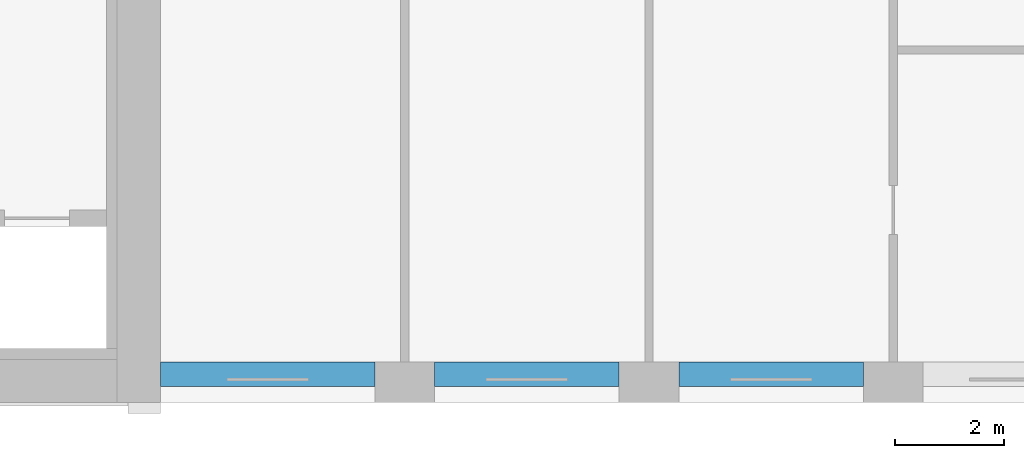
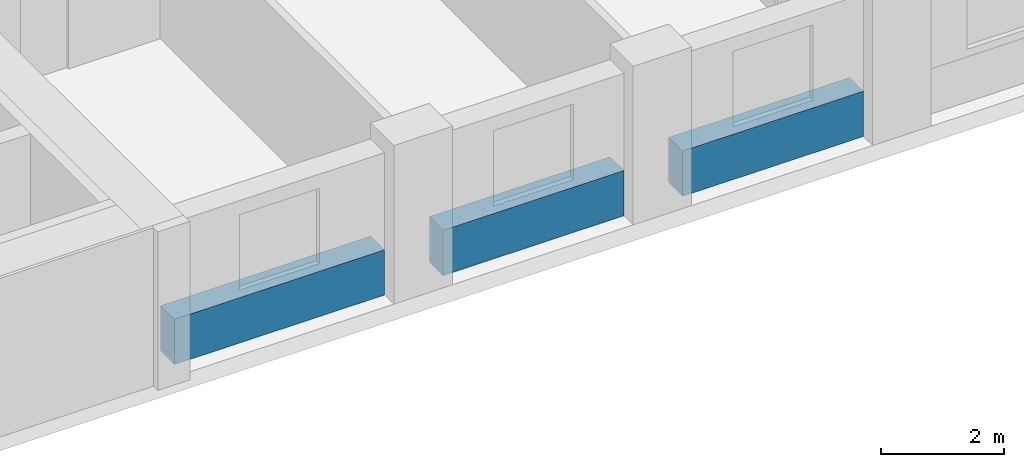
# One storey, part 3 of 16: 3 beams.
"""IFC4 building model written with IfcOpenShell, lengths in metres."""

from ifc_helpers import new_model, si_unit, direction, frame, origin, origin_2d, place, context, subcontext, project, spatial, rectangle, extrude, material, material_profile, profile_set, type_object, element, save


model = new_model("IFC4")

# Units and contexts
model_context = context("Model", 3, precision=1e-05, world=origin(), true_north=direction((0.0, 1.0)))
body_context = subcontext(model_context, "Body", "Model", "MODEL_VIEW")
ifc_project = project(units=[si_unit("LENGTHUNIT", "METRE"), si_unit("AREAUNIT", "SQUARE_METRE"), si_unit("VOLUMEUNIT", "CUBIC_METRE"), si_unit("PLANEANGLEUNIT", "RADIAN"), si_unit("MASSUNIT", "GRAM", prefix="KILO")], contexts=[model_context])

# Site, building, storey
site_placement = place(None, origin())
site = spatial("IfcSite", under=ifc_project, at=site_placement, CompositionType="ELEMENT")
building_placement = place(site_placement, origin())
building = spatial("IfcBuilding", under=site, at=building_placement, Name="Brigalow Station Residences", CompositionType="ELEMENT")
storey_placement = place(building_placement, frame((0.0, 0.0, 108.75)))
storey = spatial("IfcBuildingStorey", under=building, at=storey_placement, Name="L31", CompositionType="ELEMENT", Elevation=108.75)

# Beams
ifc_material = material(Name="Concrete C65", Category="concrete")
ifc_material_profile = material_profile(ifc_material, rectangle(XDim=0.449951171875, YDim=0.89990234375, at=origin_2d()), Name="RC450x900")
ifc_profile_set = profile_set([ifc_material_profile], Name="Concrete C65")
beam_type = type_object("IfcBeamType", Name="SPANDREL BEAM 450x900 C65", PredefinedType="SPANDREL", material=ifc_profile_set)
beam_placement = place(storey_placement, frame((54.0, 0.52490234375, 0.449951171875), z_axis=(1.0, 0.0, 0.0), x_axis=(0.0, 1.0, 0.0)))
element("IfcBeam", 1, at=beam_placement, inside=storey, type_object=beam_type, Name="L31/spandrel/W-L31-4", PredefinedType="SPANDREL", context=body_context, shape_type="SweptSolid", body=[
    extrude(rectangle(XDim=0.449951171875, YDim=0.89990234375, at=origin_2d()), origin(), (0.0, 0.0, 1.0), 3.949951171875),
])
for number, where, z_axis, x_axis, name in (
    (2, (59.050048828125, 0.52490234375, 0.449951171875), (1.0, 0.0, 0.0), (0.0, 1.0, 0.0), "L31/spandrel/W-L31-5"),
    (3, (63.550048828125, 0.52490234375, 0.449951171875), (1.0, 0.0, 0.0), (0.0, 1.0, 0.0), "L31/spandrel/W-L31-6"),
):
    element("IfcBeam", number, at=place(storey_placement, frame(where, z_axis=z_axis, x_axis=x_axis)), inside=storey, type_object=beam_type, Name=name, PredefinedType="SPANDREL", context=body_context, shape_type="SweptSolid", body=[
        extrude(rectangle(XDim=0.449951171875, YDim=0.89990234375, at=origin_2d()), origin(), (0.0, 0.0, 1.0), 3.39990234375),
    ])

save(model, "model.ifc")
